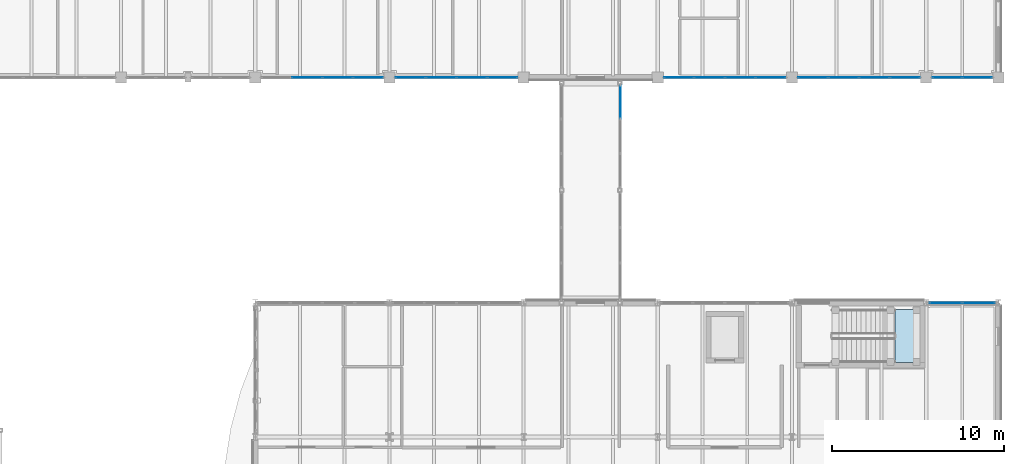
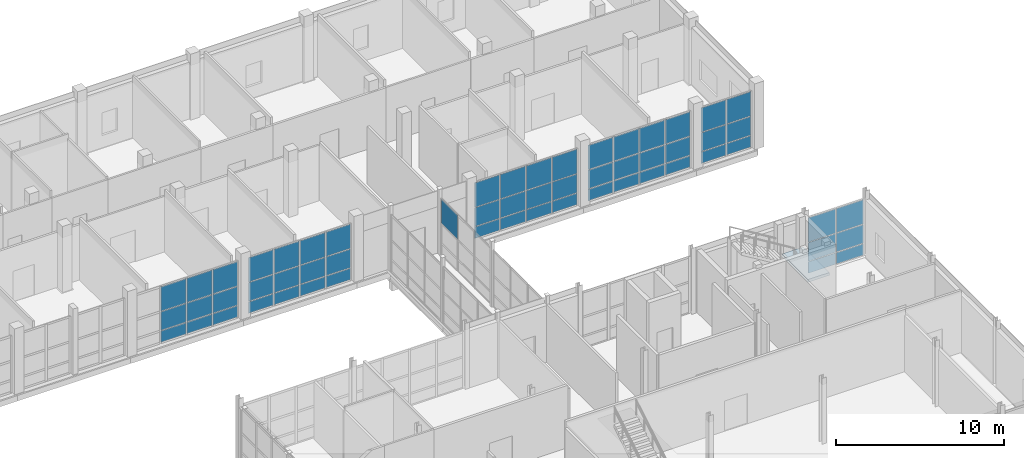
# One storey, part 83 of 131: 58 plates, 1 slab, 8 elements without a shape of their own.
"""IFC4 building model written with IfcOpenShell, lengths in metres."""

from ifc_helpers import new_model, si_unit, direction, frame, origin, origin_2d, place, context, subcontext, project, spatial, polyline, rectangle, outline, extrude, material, layer, layer_set, type_object, element, aggregate, save


model = new_model("IFC4")

# Units and contexts
model_context = context("Model", 3, precision=1e-05, world=origin(), true_north=direction((0.0, 1.0)))
body_context = subcontext(model_context, "Body", "Model", "MODEL_VIEW")
ifc_project = project(units=[si_unit("LENGTHUNIT", "METRE"), si_unit("AREAUNIT", "SQUARE_METRE"), si_unit("VOLUMEUNIT", "CUBIC_METRE"), si_unit("PLANEANGLEUNIT", "RADIAN"), si_unit("MASSUNIT", "GRAM", prefix="KILO")], contexts=[model_context])

# Site, building, storey
site_placement = place(None, origin())
site = spatial("IfcSite", under=ifc_project, at=site_placement, CompositionType="ELEMENT")
building_placement = place(site_placement, origin())
building = spatial("IfcBuilding", under=site, at=building_placement, Name="Celorna Specialist Clinic", CompositionType="ELEMENT")
storey_placement = place(building_placement, origin())
storey = spatial("IfcBuildingStorey", under=building, at=storey_placement, Name="L00", CompositionType="ELEMENT", Elevation=0.0)

# Curtain wall, plates
ifc_material_1 = material(Name="Thermally broken aluminium and solar-control glass curtain wall", Category="aluminium")
ifc_layer_1 = layer(ifc_material_1, 0.159912109375, Name="Thermally broken aluminium and solar-control glass curtain wall")
ifc_layer_set_1 = layer_set([ifc_layer_1], Name="Thermally broken aluminium and solar-control glass curtain wall")
curtain_wall_type_1 = type_object("IfcCurtainWallType", Name="CW-37", PredefinedType="NOTDEFINED", material=ifc_layer_set_1)
curtain_wall_1_placement = place(storey_placement, origin())
curtain_wall_1 = element("IfcCurtainWall", 1, at=curtain_wall_1_placement, inside=storey, type_object=curtain_wall_type_1, Name="Curtain wall CW-37 #72", PredefinedType="NOTDEFINED")
ifc_material_2 = material(Name="Low-e double glazing", Category="glass")
ifc_layer_2 = layer(ifc_material_2, 0.028076171875, Name="Low-e double glazing")
ifc_layer_set_2 = layer_set([ifc_layer_2], Name="Low-e double glazing")
plate_type_1 = type_object("IfcPlateType", Name="CPN-01", PredefinedType="CURTAIN_PANEL", material=ifc_layer_set_2)
plate_1_placement = place(storey_placement, frame((164.939453125, 83.39990234375, 0.0498046875), z_axis=(0.0, 0.0, 1.0), x_axis=(1.0, 0.0, 0.0)))
plate_1 = element("IfcPlate", 2, at=plate_1_placement, type_object=plate_type_1, Name="CW-37 panel 1.1", PredefinedType="CURTAIN_PANEL", context=body_context, shape_type="SweptSolid", body=[
    extrude(rectangle(XDim=1.87109375, YDim=0.028076171875, at=origin_2d()), origin(), (0.0, 0.0, 1.0), 0.824951171875),
])
plate_2_placement = place(storey_placement, frame((164.939453125, 83.39990234375, 0.925048828125), z_axis=(0.0, 0.0, 1.0), x_axis=(1.0, 0.0, 0.0)))
plate_2 = element("IfcPlate", 3, at=plate_2_placement, type_object=plate_type_1, Name="CW-37 panel 1.2", PredefinedType="CURTAIN_PANEL", context=body_context, shape_type="SweptSolid", body=[
    extrude(rectangle(XDim=1.87109375, YDim=0.028076171875, at=origin_2d()), origin(), (0.0, 0.0, 1.0), 1.35009765625),
])
plate_3_placement = place(storey_placement, frame((164.939453125, 83.39990234375, 2.3251953125), z_axis=(0.0, 0.0, 1.0), x_axis=(1.0, 0.0, 0.0)))
plate_3 = element("IfcPlate", 4, at=plate_3_placement, type_object=plate_type_1, Name="CW-37 panel 1.3", PredefinedType="CURTAIN_PANEL", context=body_context, shape_type="SweptSolid", body=[
    extrude(rectangle(XDim=1.87109375, YDim=0.028076171875, at=origin_2d()), origin(), (0.0, 0.0, 1.0), 1.764892578125),
])
plate_4_placement = place(storey_placement, frame((166.860595703125, 83.39990234375, 0.0498046875), z_axis=(0.0, 0.0, 1.0), x_axis=(1.0, 0.0, 0.0)))
plate_4 = element("IfcPlate", 5, at=plate_4_placement, type_object=plate_type_1, Name="CW-37 panel 2.1", PredefinedType="CURTAIN_PANEL", context=body_context, shape_type="SweptSolid", body=[
    extrude(rectangle(XDim=1.87109375, YDim=0.028076171875, at=origin_2d()), origin(), (0.0, 0.0, 1.0), 0.824951171875),
])
plate_5_placement = place(storey_placement, frame((166.860595703125, 83.39990234375, 0.925048828125), z_axis=(0.0, 0.0, 1.0), x_axis=(1.0, 0.0, 0.0)))
plate_5 = element("IfcPlate", 6, at=plate_5_placement, type_object=plate_type_1, Name="CW-37 panel 2.2", PredefinedType="CURTAIN_PANEL", context=body_context, shape_type="SweptSolid", body=[
    extrude(rectangle(XDim=1.87109375, YDim=0.028076171875, at=origin_2d()), origin(), (0.0, 0.0, 1.0), 1.35009765625),
])
plate_6_placement = place(storey_placement, frame((166.860595703125, 83.39990234375, 2.3251953125), z_axis=(0.0, 0.0, 1.0), x_axis=(1.0, 0.0, 0.0)))
plate_6 = element("IfcPlate", 7, at=plate_6_placement, type_object=plate_type_1, Name="CW-37 panel 2.3", PredefinedType="CURTAIN_PANEL", context=body_context, shape_type="SweptSolid", body=[
    extrude(rectangle(XDim=1.87109375, YDim=0.028076171875, at=origin_2d()), origin(), (0.0, 0.0, 1.0), 1.764892578125),
])
aggregate(curtain_wall_1, [plate_1, plate_2, plate_3, plate_4, plate_5, plate_6])

ifc_layer_3 = layer(ifc_material_1, 0.159912109375, Name="Thermally broken aluminium and solar-control glass curtain wall")
ifc_layer_set_3 = layer_set([ifc_layer_3], Name="Thermally broken aluminium and solar-control glass curtain wall")
curtain_wall_type_2 = type_object("IfcCurtainWallType", Name="CW-48", PredefinedType="NOTDEFINED", material=ifc_layer_set_3)
curtain_wall_2_placement = place(storey_placement, origin())
curtain_wall_2 = element("IfcCurtainWall", 8, at=curtain_wall_2_placement, inside=storey, type_object=curtain_wall_type_2, Name="Curtain wall CW-48 #100", PredefinedType="NOTDEFINED")
plate_7_placement = place(storey_placement, frame((139.165771484375, 96.5, 0.0498046875), z_axis=(0.0, 0.0, 1.0), x_axis=(-1.0, 0.0, 0.0)))
plate_7 = element("IfcPlate", 9, at=plate_7_placement, type_object=plate_type_1, Name="CW-48 panel 1.1", PredefinedType="CURTAIN_PANEL", context=body_context, shape_type="SweptSolid", body=[
    extrude(rectangle(XDim=1.71044921875, YDim=0.028076171875, at=origin_2d()), origin(), (0.0, 0.0, 1.0), 0.824951171875),
])
plate_8_placement = place(storey_placement, frame((139.165771484375, 96.5, 0.925048828125), z_axis=(0.0, 0.0, 1.0), x_axis=(-1.0, 0.0, 0.0)))
plate_8 = element("IfcPlate", 10, at=plate_8_placement, type_object=plate_type_1, Name="CW-48 panel 1.2", PredefinedType="CURTAIN_PANEL", context=body_context, shape_type="SweptSolid", body=[
    extrude(rectangle(XDim=1.71044921875, YDim=0.028076171875, at=origin_2d()), origin(), (0.0, 0.0, 1.0), 1.35009765625),
])
plate_9_placement = place(storey_placement, frame((139.165771484375, 96.5, 2.3251953125), z_axis=(0.0, 0.0, 1.0), x_axis=(-1.0, 0.0, 0.0)))
plate_9 = element("IfcPlate", 11, at=plate_9_placement, type_object=plate_type_1, Name="CW-48 panel 1.3", PredefinedType="CURTAIN_PANEL", context=body_context, shape_type="SweptSolid", body=[
    extrude(rectangle(XDim=1.71044921875, YDim=0.028076171875, at=origin_2d()), origin(), (0.0, 0.0, 1.0), 1.764892578125),
])
plate_10_placement = place(storey_placement, frame((137.392822265625, 96.5, 0.0498046875), z_axis=(0.0, 0.0, 1.0), x_axis=(-1.0, 0.0, 0.0)))
plate_10 = element("IfcPlate", 12, at=plate_10_placement, type_object=plate_type_1, Name="CW-48 panel 2.1", PredefinedType="CURTAIN_PANEL", context=body_context, shape_type="SweptSolid", body=[
    extrude(rectangle(XDim=1.735595703125, YDim=0.028076171875, at=origin_2d()), origin(), (0.0, 0.0, 1.0), 0.824951171875),
])
plate_11_placement = place(storey_placement, frame((137.392822265625, 96.5, 0.925048828125), z_axis=(0.0, 0.0, 1.0), x_axis=(-1.0, 0.0, 0.0)))
plate_11 = element("IfcPlate", 13, at=plate_11_placement, type_object=plate_type_1, Name="CW-48 panel 2.2", PredefinedType="CURTAIN_PANEL", context=body_context, shape_type="SweptSolid", body=[
    extrude(rectangle(XDim=1.735595703125, YDim=0.028076171875, at=origin_2d()), origin(), (0.0, 0.0, 1.0), 1.35009765625),
])
plate_12_placement = place(storey_placement, frame((137.392822265625, 96.5, 2.3251953125), z_axis=(0.0, 0.0, 1.0), x_axis=(-1.0, 0.0, 0.0)))
plate_12 = element("IfcPlate", 14, at=plate_12_placement, type_object=plate_type_1, Name="CW-48 panel 2.3", PredefinedType="CURTAIN_PANEL", context=body_context, shape_type="SweptSolid", body=[
    extrude(rectangle(XDim=1.735595703125, YDim=0.028076171875, at=origin_2d()), origin(), (0.0, 0.0, 1.0), 1.764892578125),
])
plate_13_placement = place(storey_placement, frame((135.607177734375, 96.5, 0.0498046875), z_axis=(0.0, 0.0, 1.0), x_axis=(-1.0, 0.0, 0.0)))
plate_13 = element("IfcPlate", 15, at=plate_13_placement, type_object=plate_type_1, Name="CW-48 panel 3.1", PredefinedType="CURTAIN_PANEL", context=body_context, shape_type="SweptSolid", body=[
    extrude(rectangle(XDim=1.735595703125, YDim=0.028076171875, at=origin_2d()), origin(), (0.0, 0.0, 1.0), 0.824951171875),
])
plate_14_placement = place(storey_placement, frame((135.607177734375, 96.5, 0.925048828125), z_axis=(0.0, 0.0, 1.0), x_axis=(-1.0, 0.0, 0.0)))
plate_14 = element("IfcPlate", 16, at=plate_14_placement, type_object=plate_type_1, Name="CW-48 panel 3.2", PredefinedType="CURTAIN_PANEL", context=body_context, shape_type="SweptSolid", body=[
    extrude(rectangle(XDim=1.735595703125, YDim=0.028076171875, at=origin_2d()), origin(), (0.0, 0.0, 1.0), 1.35009765625),
])
plate_15_placement = place(storey_placement, frame((135.607177734375, 96.5, 2.3251953125), z_axis=(0.0, 0.0, 1.0), x_axis=(-1.0, 0.0, 0.0)))
plate_15 = element("IfcPlate", 17, at=plate_15_placement, type_object=plate_type_1, Name="CW-48 panel 3.3", PredefinedType="CURTAIN_PANEL", context=body_context, shape_type="SweptSolid", body=[
    extrude(rectangle(XDim=1.735595703125, YDim=0.028076171875, at=origin_2d()), origin(), (0.0, 0.0, 1.0), 1.764892578125),
])
plate_16_placement = place(storey_placement, frame((133.834228515625, 96.5, 0.0498046875), z_axis=(0.0, 0.0, 1.0), x_axis=(-1.0, 0.0, 0.0)))
plate_16 = element("IfcPlate", 18, at=plate_16_placement, type_object=plate_type_1, Name="CW-48 panel 4.1", PredefinedType="CURTAIN_PANEL", context=body_context, shape_type="SweptSolid", body=[
    extrude(rectangle(XDim=1.71044921875, YDim=0.028076171875, at=origin_2d()), origin(), (0.0, 0.0, 1.0), 0.824951171875),
])
plate_17_placement = place(storey_placement, frame((133.834228515625, 96.5, 0.925048828125), z_axis=(0.0, 0.0, 1.0), x_axis=(-1.0, 0.0, 0.0)))
plate_17 = element("IfcPlate", 19, at=plate_17_placement, type_object=plate_type_1, Name="CW-48 panel 4.2", PredefinedType="CURTAIN_PANEL", context=body_context, shape_type="SweptSolid", body=[
    extrude(rectangle(XDim=1.71044921875, YDim=0.028076171875, at=origin_2d()), origin(), (0.0, 0.0, 1.0), 1.35009765625),
])
plate_18_placement = place(storey_placement, frame((133.834228515625, 96.5, 2.3251953125), z_axis=(0.0, 0.0, 1.0), x_axis=(-1.0, 0.0, 0.0)))
plate_18 = element("IfcPlate", 20, at=plate_18_placement, type_object=plate_type_1, Name="CW-48 panel 4.3", PredefinedType="CURTAIN_PANEL", context=body_context, shape_type="SweptSolid", body=[
    extrude(rectangle(XDim=1.71044921875, YDim=0.028076171875, at=origin_2d()), origin(), (0.0, 0.0, 1.0), 1.764892578125),
])
aggregate(curtain_wall_2, [plate_7, plate_8, plate_9, plate_10, plate_11, plate_12, plate_13, plate_14, plate_15, plate_16, plate_17, plate_18])

curtain_wall_3_placement = place(storey_placement, origin())
curtain_wall_3 = element("IfcCurtainWall", 21, at=curtain_wall_3_placement, inside=storey, type_object=curtain_wall_type_2, Name="Curtain wall CW-48 #102", PredefinedType="NOTDEFINED")
plate_19_placement = place(storey_placement, frame((162.565673828125, 96.5, 0.0498046875), z_axis=(0.0, 0.0, 1.0), x_axis=(-1.0, 0.0, 0.0)))
plate_19 = element("IfcPlate", 22, at=plate_19_placement, type_object=plate_type_1, Name="CW-48 panel 1.1", PredefinedType="CURTAIN_PANEL", context=body_context, shape_type="SweptSolid", body=[
    extrude(rectangle(XDim=1.71044921875, YDim=0.028076171875, at=origin_2d()), origin(), (0.0, 0.0, 1.0), 0.824951171875),
])
plate_20_placement = place(storey_placement, frame((162.565673828125, 96.5, 0.925048828125), z_axis=(0.0, 0.0, 1.0), x_axis=(-1.0, 0.0, 0.0)))
plate_20 = element("IfcPlate", 23, at=plate_20_placement, type_object=plate_type_1, Name="CW-48 panel 1.2", PredefinedType="CURTAIN_PANEL", context=body_context, shape_type="SweptSolid", body=[
    extrude(rectangle(XDim=1.71044921875, YDim=0.028076171875, at=origin_2d()), origin(), (0.0, 0.0, 1.0), 1.35009765625),
])
plate_21_placement = place(storey_placement, frame((162.565673828125, 96.5, 2.3251953125), z_axis=(0.0, 0.0, 1.0), x_axis=(-1.0, 0.0, 0.0)))
plate_21 = element("IfcPlate", 24, at=plate_21_placement, type_object=plate_type_1, Name="CW-48 panel 1.3", PredefinedType="CURTAIN_PANEL", context=body_context, shape_type="SweptSolid", body=[
    extrude(rectangle(XDim=1.71044921875, YDim=0.028076171875, at=origin_2d()), origin(), (0.0, 0.0, 1.0), 1.764892578125),
])
plate_22_placement = place(storey_placement, frame((160.792724609375, 96.5, 0.0498046875), z_axis=(0.0, 0.0, 1.0), x_axis=(-1.0, 0.0, 0.0)))
plate_22 = element("IfcPlate", 25, at=plate_22_placement, type_object=plate_type_1, Name="CW-48 panel 2.1", PredefinedType="CURTAIN_PANEL", context=body_context, shape_type="SweptSolid", body=[
    extrude(rectangle(XDim=1.735595703125, YDim=0.028076171875, at=origin_2d()), origin(), (0.0, 0.0, 1.0), 0.824951171875),
])
plate_23_placement = place(storey_placement, frame((160.792724609375, 96.5, 0.925048828125), z_axis=(0.0, 0.0, 1.0), x_axis=(-1.0, 0.0, 0.0)))
plate_23 = element("IfcPlate", 26, at=plate_23_placement, type_object=plate_type_1, Name="CW-48 panel 2.2", PredefinedType="CURTAIN_PANEL", context=body_context, shape_type="SweptSolid", body=[
    extrude(rectangle(XDim=1.735595703125, YDim=0.028076171875, at=origin_2d()), origin(), (0.0, 0.0, 1.0), 1.35009765625),
])
plate_24_placement = place(storey_placement, frame((160.792724609375, 96.5, 2.3251953125), z_axis=(0.0, 0.0, 1.0), x_axis=(-1.0, 0.0, 0.0)))
plate_24 = element("IfcPlate", 27, at=plate_24_placement, type_object=plate_type_1, Name="CW-48 panel 2.3", PredefinedType="CURTAIN_PANEL", context=body_context, shape_type="SweptSolid", body=[
    extrude(rectangle(XDim=1.735595703125, YDim=0.028076171875, at=origin_2d()), origin(), (0.0, 0.0, 1.0), 1.764892578125),
])
plate_25_placement = place(storey_placement, frame((159.00732421875, 96.5, 0.0498046875), z_axis=(0.0, 0.0, 1.0), x_axis=(-1.0, 0.0, 0.0)))
plate_25 = element("IfcPlate", 28, at=plate_25_placement, type_object=plate_type_1, Name="CW-48 panel 3.1", PredefinedType="CURTAIN_PANEL", context=body_context, shape_type="SweptSolid", body=[
    extrude(rectangle(XDim=1.735595703125, YDim=0.028076171875, at=origin_2d()), origin(), (0.0, 0.0, 1.0), 0.824951171875),
])
plate_26_placement = place(storey_placement, frame((159.00732421875, 96.5, 0.925048828125), z_axis=(0.0, 0.0, 1.0), x_axis=(-1.0, 0.0, 0.0)))
plate_26 = element("IfcPlate", 29, at=plate_26_placement, type_object=plate_type_1, Name="CW-48 panel 3.2", PredefinedType="CURTAIN_PANEL", context=body_context, shape_type="SweptSolid", body=[
    extrude(rectangle(XDim=1.735595703125, YDim=0.028076171875, at=origin_2d()), origin(), (0.0, 0.0, 1.0), 1.35009765625),
])
plate_27_placement = place(storey_placement, frame((159.00732421875, 96.5, 2.3251953125), z_axis=(0.0, 0.0, 1.0), x_axis=(-1.0, 0.0, 0.0)))
plate_27 = element("IfcPlate", 30, at=plate_27_placement, type_object=plate_type_1, Name="CW-48 panel 3.3", PredefinedType="CURTAIN_PANEL", context=body_context, shape_type="SweptSolid", body=[
    extrude(rectangle(XDim=1.735595703125, YDim=0.028076171875, at=origin_2d()), origin(), (0.0, 0.0, 1.0), 1.764892578125),
])
plate_28_placement = place(storey_placement, frame((157.234130859375, 96.5, 0.0498046875), z_axis=(0.0, 0.0, 1.0), x_axis=(-1.0, 0.0, 0.0)))
plate_28 = element("IfcPlate", 31, at=plate_28_placement, type_object=plate_type_1, Name="CW-48 panel 4.1", PredefinedType="CURTAIN_PANEL", context=body_context, shape_type="SweptSolid", body=[
    extrude(rectangle(XDim=1.71044921875, YDim=0.028076171875, at=origin_2d()), origin(), (0.0, 0.0, 1.0), 0.824951171875),
])
plate_29_placement = place(storey_placement, frame((157.234130859375, 96.5, 0.925048828125), z_axis=(0.0, 0.0, 1.0), x_axis=(-1.0, 0.0, 0.0)))
plate_29 = element("IfcPlate", 32, at=plate_29_placement, type_object=plate_type_1, Name="CW-48 panel 4.2", PredefinedType="CURTAIN_PANEL", context=body_context, shape_type="SweptSolid", body=[
    extrude(rectangle(XDim=1.71044921875, YDim=0.028076171875, at=origin_2d()), origin(), (0.0, 0.0, 1.0), 1.35009765625),
])
plate_30_placement = place(storey_placement, frame((157.234130859375, 96.5, 2.3251953125), z_axis=(0.0, 0.0, 1.0), x_axis=(-1.0, 0.0, 0.0)))
plate_30 = element("IfcPlate", 33, at=plate_30_placement, type_object=plate_type_1, Name="CW-48 panel 4.3", PredefinedType="CURTAIN_PANEL", context=body_context, shape_type="SweptSolid", body=[
    extrude(rectangle(XDim=1.71044921875, YDim=0.028076171875, at=origin_2d()), origin(), (0.0, 0.0, 1.0), 1.764892578125),
])
aggregate(curtain_wall_3, [plate_19, plate_20, plate_21, plate_22, plate_23, plate_24, plate_25, plate_26, plate_27, plate_28, plate_29, plate_30])

# Curtain wall, plate
ifc_layer_4 = layer(ifc_material_1, 0.159912109375, Name="Thermally broken aluminium and solar-control glass curtain wall")
ifc_layer_set_4 = layer_set([ifc_layer_4], Name="Thermally broken aluminium and solar-control glass curtain wall")
curtain_wall_type_3 = type_object("IfcCurtainWallType", Name="CW-117", PredefinedType="NOTDEFINED", material=ifc_layer_set_4)
curtain_wall_4_placement = place(storey_placement, origin())
curtain_wall_4 = element("IfcCurtainWall", 34, at=curtain_wall_4_placement, inside=storey, type_object=curtain_wall_type_3, Name="Curtain wall CW-117 #218", PredefinedType="NOTDEFINED")
plate_31_placement = place(storey_placement, frame((146.02001953125, 95.06591796875, 2.324951171875), z_axis=(0.0, 0.0, 1.0), x_axis=(0.0, -1.0, 0.0)))
plate_31 = element("IfcPlate", 35, at=plate_31_placement, type_object=plate_type_1, Name="CW-117 panel 1.3", PredefinedType="CURTAIN_PANEL", context=body_context, shape_type="SweptSolid", body=[
    extrude(rectangle(XDim=1.92822265625, YDim=0.028076171875, at=origin_2d()), origin(), (0.0, 0.0, 1.0), 1.7548828125),
])
aggregate(curtain_wall_4, [plate_31])

# Curtain wall, plates
ifc_layer_5 = layer(ifc_material_1, 0.159912109375, Name="Thermally broken aluminium and solar-control glass curtain wall")
ifc_layer_set_5 = layer_set([ifc_layer_5], Name="Thermally broken aluminium and solar-control glass curtain wall")
curtain_wall_type_4 = type_object("IfcCurtainWallType", Name="CW-50", PredefinedType="NOTDEFINED", material=ifc_layer_set_5)
curtain_wall_5_placement = place(storey_placement, origin())
curtain_wall_5 = element("IfcCurtainWall", 36, at=curtain_wall_5_placement, inside=storey, type_object=curtain_wall_type_4, Name="Curtain wall CW-50 #103", PredefinedType="NOTDEFINED")
ifc_material_3 = material(Name="Solar-control triple glazing", Category="glass")
ifc_layer_6 = layer(ifc_material_3, 0.035888671875, Name="Solar-control triple glazing")
ifc_layer_set_6 = layer_set([ifc_layer_6], Name="Solar-control triple glazing")
plate_type_2 = type_object("IfcPlateType", Name="CPN-02", PredefinedType="CURTAIN_PANEL", material=ifc_layer_set_6)
plate_32_placement = place(storey_placement, frame((166.77294921875, 96.5, 0.0498046875), z_axis=(0.0, 0.0, 1.0), x_axis=(-1.0, 0.0, 0.0)))
plate_32 = element("IfcPlate", 37, at=plate_32_placement, type_object=plate_type_2, Name="CW-50 panel 1.1", PredefinedType="CURTAIN_PANEL", context=body_context, shape_type="SweptSolid", body=[
    extrude(rectangle(XDim=1.696044921875, YDim=0.035888671875, at=origin_2d()), origin(), (0.0, 0.0, 1.0), 0.824951171875),
])
plate_33_placement = place(storey_placement, frame((166.77294921875, 96.5, 0.925048828125), z_axis=(0.0, 0.0, 1.0), x_axis=(-1.0, 0.0, 0.0)))
plate_33 = element("IfcPlate", 38, at=plate_33_placement, type_object=plate_type_2, Name="CW-50 panel 1.2", PredefinedType="CURTAIN_PANEL", context=body_context, shape_type="SweptSolid", body=[
    extrude(rectangle(XDim=1.696044921875, YDim=0.035888671875, at=origin_2d()), origin(), (0.0, 0.0, 1.0), 1.35009765625),
])
plate_34_placement = place(storey_placement, frame((166.77294921875, 96.5, 2.3251953125), z_axis=(0.0, 0.0, 1.0), x_axis=(-1.0, 0.0, 0.0)))
plate_34 = element("IfcPlate", 39, at=plate_34_placement, type_object=plate_type_2, Name="CW-50 panel 1.3", PredefinedType="CURTAIN_PANEL", context=body_context, shape_type="SweptSolid", body=[
    extrude(rectangle(XDim=1.696044921875, YDim=0.035888671875, at=origin_2d()), origin(), (0.0, 0.0, 1.0), 1.764892578125),
])
plate_35_placement = place(storey_placement, frame((165.027099609375, 96.5, 0.0498046875), z_axis=(0.0, 0.0, 1.0), x_axis=(-1.0, 0.0, 0.0)))
plate_35 = element("IfcPlate", 40, at=plate_35_placement, type_object=plate_type_2, Name="CW-50 panel 2.1", PredefinedType="CURTAIN_PANEL", context=body_context, shape_type="SweptSolid", body=[
    extrude(rectangle(XDim=1.696044921875, YDim=0.035888671875, at=origin_2d()), origin(), (0.0, 0.0, 1.0), 0.824951171875),
])
plate_36_placement = place(storey_placement, frame((165.027099609375, 96.5, 0.925048828125), z_axis=(0.0, 0.0, 1.0), x_axis=(-1.0, 0.0, 0.0)))
plate_36 = element("IfcPlate", 41, at=plate_36_placement, type_object=plate_type_2, Name="CW-50 panel 2.2", PredefinedType="CURTAIN_PANEL", context=body_context, shape_type="SweptSolid", body=[
    extrude(rectangle(XDim=1.696044921875, YDim=0.035888671875, at=origin_2d()), origin(), (0.0, 0.0, 1.0), 1.35009765625),
])
plate_37_placement = place(storey_placement, frame((165.027099609375, 96.5, 2.3251953125), z_axis=(0.0, 0.0, 1.0), x_axis=(-1.0, 0.0, 0.0)))
plate_37 = element("IfcPlate", 42, at=plate_37_placement, type_object=plate_type_2, Name="CW-50 panel 2.3", PredefinedType="CURTAIN_PANEL", context=body_context, shape_type="SweptSolid", body=[
    extrude(rectangle(XDim=1.696044921875, YDim=0.035888671875, at=origin_2d()), origin(), (0.0, 0.0, 1.0), 1.764892578125),
])
aggregate(curtain_wall_5, [plate_32, plate_33, plate_34, plate_35, plate_36, plate_37])

ifc_layer_7 = layer(ifc_material_1, 0.159912109375, Name="Thermally broken aluminium and solar-control glass curtain wall")
ifc_layer_set_7 = layer_set([ifc_layer_7], Name="Thermally broken aluminium and solar-control glass curtain wall")
curtain_wall_type_5 = type_object("IfcCurtainWallType", Name="CW-47", PredefinedType="NOTDEFINED", material=ifc_layer_set_7)
curtain_wall_6_placement = place(storey_placement, origin())
curtain_wall_6 = element("IfcCurtainWall", 43, at=curtain_wall_6_placement, inside=storey, type_object=curtain_wall_type_5, Name="Curtain wall CW-47 #99", PredefinedType="NOTDEFINED")
ifc_material_4 = material(Name="Glazed polychrome ceramic insulated spandrel")
ifc_layer_8 = layer(ifc_material_4, 0.0439453125, Name="Glazed polychrome ceramic insulated spandrel")
ifc_layer_set_8 = layer_set([ifc_layer_8], Name="Glazed polychrome ceramic insulated spandrel")
plate_type_3 = type_object("IfcPlateType", Name="CPN-03", PredefinedType="CURTAIN_PANEL", material=ifc_layer_set_8)
plate_38_placement = place(storey_placement, frame((131.36572265625, 96.5, 0.0498046875), z_axis=(0.0, 0.0, 1.0), x_axis=(-1.0, 0.0, 0.0)))
plate_38 = element("IfcPlate", 44, at=plate_38_placement, type_object=plate_type_3, Name="CW-47 panel 1.1", PredefinedType="CURTAIN_PANEL", context=body_context, shape_type="SweptSolid", body=[
    extrude(rectangle(XDim=1.71044921875, YDim=0.0439453125, at=origin_2d()), origin(), (0.0, 0.0, 1.0), 0.824951171875),
])
plate_39_placement = place(storey_placement, frame((131.36572265625, 96.5, 0.925048828125), z_axis=(0.0, 0.0, 1.0), x_axis=(-1.0, 0.0, 0.0)))
plate_39 = element("IfcPlate", 45, at=plate_39_placement, type_object=plate_type_3, Name="CW-47 panel 1.2", PredefinedType="CURTAIN_PANEL", context=body_context, shape_type="SweptSolid", body=[
    extrude(rectangle(XDim=1.71044921875, YDim=0.0439453125, at=origin_2d()), origin(), (0.0, 0.0, 1.0), 1.35009765625),
])
plate_40_placement = place(storey_placement, frame((131.36572265625, 96.5, 2.3251953125), z_axis=(0.0, 0.0, 1.0), x_axis=(-1.0, 0.0, 0.0)))
plate_40 = element("IfcPlate", 46, at=plate_40_placement, type_object=plate_type_3, Name="CW-47 panel 1.3", PredefinedType="CURTAIN_PANEL", context=body_context, shape_type="SweptSolid", body=[
    extrude(rectangle(XDim=1.71044921875, YDim=0.0439453125, at=origin_2d()), origin(), (0.0, 0.0, 1.0), 1.764892578125),
])
plate_41_placement = place(storey_placement, frame((129.5927734375, 96.5, 0.0498046875), z_axis=(0.0, 0.0, 1.0), x_axis=(-1.0, 0.0, 0.0)))
plate_41 = element("IfcPlate", 47, at=plate_41_placement, type_object=plate_type_3, Name="CW-47 panel 2.1", PredefinedType="CURTAIN_PANEL", context=body_context, shape_type="SweptSolid", body=[
    extrude(rectangle(XDim=1.735595703125, YDim=0.0439453125, at=origin_2d()), origin(), (0.0, 0.0, 1.0), 0.824951171875),
])
plate_42_placement = place(storey_placement, frame((129.5927734375, 96.5, 0.925048828125), z_axis=(0.0, 0.0, 1.0), x_axis=(-1.0, 0.0, 0.0)))
plate_42 = element("IfcPlate", 48, at=plate_42_placement, type_object=plate_type_3, Name="CW-47 panel 2.2", PredefinedType="CURTAIN_PANEL", context=body_context, shape_type="SweptSolid", body=[
    extrude(rectangle(XDim=1.735595703125, YDim=0.0439453125, at=origin_2d()), origin(), (0.0, 0.0, 1.0), 1.35009765625),
])
plate_43_placement = place(storey_placement, frame((129.5927734375, 96.5, 2.3251953125), z_axis=(0.0, 0.0, 1.0), x_axis=(-1.0, 0.0, 0.0)))
plate_43 = element("IfcPlate", 49, at=plate_43_placement, type_object=plate_type_3, Name="CW-47 panel 2.3", PredefinedType="CURTAIN_PANEL", context=body_context, shape_type="SweptSolid", body=[
    extrude(rectangle(XDim=1.735595703125, YDim=0.0439453125, at=origin_2d()), origin(), (0.0, 0.0, 1.0), 1.764892578125),
])
plate_44_placement = place(storey_placement, frame((127.80712890625, 96.5, 0.0498046875), z_axis=(0.0, 0.0, 1.0), x_axis=(-1.0, 0.0, 0.0)))
plate_44 = element("IfcPlate", 50, at=plate_44_placement, type_object=plate_type_3, Name="CW-47 panel 3.1", PredefinedType="CURTAIN_PANEL", context=body_context, shape_type="SweptSolid", body=[
    extrude(rectangle(XDim=1.735595703125, YDim=0.0439453125, at=origin_2d()), origin(), (0.0, 0.0, 1.0), 0.824951171875),
])
plate_45_placement = place(storey_placement, frame((127.80712890625, 96.5, 0.925048828125), z_axis=(0.0, 0.0, 1.0), x_axis=(-1.0, 0.0, 0.0)))
plate_45 = element("IfcPlate", 51, at=plate_45_placement, type_object=plate_type_3, Name="CW-47 panel 3.2", PredefinedType="CURTAIN_PANEL", context=body_context, shape_type="SweptSolid", body=[
    extrude(rectangle(XDim=1.735595703125, YDim=0.0439453125, at=origin_2d()), origin(), (0.0, 0.0, 1.0), 1.35009765625),
])
plate_46_placement = place(storey_placement, frame((127.80712890625, 96.5, 2.3251953125), z_axis=(0.0, 0.0, 1.0), x_axis=(-1.0, 0.0, 0.0)))
plate_46 = element("IfcPlate", 52, at=plate_46_placement, type_object=plate_type_3, Name="CW-47 panel 3.3", PredefinedType="CURTAIN_PANEL", context=body_context, shape_type="SweptSolid", body=[
    extrude(rectangle(XDim=1.735595703125, YDim=0.0439453125, at=origin_2d()), origin(), (0.0, 0.0, 1.0), 1.764892578125),
])
aggregate(curtain_wall_6, [plate_38, plate_39, plate_40, plate_41, plate_42, plate_43, plate_44, plate_45, plate_46])

curtain_wall_7_placement = place(storey_placement, origin())
curtain_wall_7 = element("IfcCurtainWall", 53, at=curtain_wall_7_placement, inside=storey, type_object=curtain_wall_type_5, Name="Curtain wall CW-47 #101", PredefinedType="NOTDEFINED")
plate_47_placement = place(storey_placement, frame((154.765869140625, 96.5, 0.0498046875), z_axis=(0.0, 0.0, 1.0), x_axis=(-1.0, 0.0, 0.0)))
plate_47 = element("IfcPlate", 54, at=plate_47_placement, type_object=plate_type_3, Name="CW-47 panel 1.1", PredefinedType="CURTAIN_PANEL", context=body_context, shape_type="SweptSolid", body=[
    extrude(rectangle(XDim=1.71044921875, YDim=0.0439453125, at=origin_2d()), origin(), (0.0, 0.0, 1.0), 0.824951171875),
])
plate_48_placement = place(storey_placement, frame((154.765869140625, 96.5, 0.925048828125), z_axis=(0.0, 0.0, 1.0), x_axis=(-1.0, 0.0, 0.0)))
plate_48 = element("IfcPlate", 55, at=plate_48_placement, type_object=plate_type_3, Name="CW-47 panel 1.2", PredefinedType="CURTAIN_PANEL", context=body_context, shape_type="SweptSolid", body=[
    extrude(rectangle(XDim=1.71044921875, YDim=0.0439453125, at=origin_2d()), origin(), (0.0, 0.0, 1.0), 1.35009765625),
])
plate_49_placement = place(storey_placement, frame((154.765869140625, 96.5, 2.3251953125), z_axis=(0.0, 0.0, 1.0), x_axis=(-1.0, 0.0, 0.0)))
plate_49 = element("IfcPlate", 56, at=plate_49_placement, type_object=plate_type_3, Name="CW-47 panel 1.3", PredefinedType="CURTAIN_PANEL", context=body_context, shape_type="SweptSolid", body=[
    extrude(rectangle(XDim=1.71044921875, YDim=0.0439453125, at=origin_2d()), origin(), (0.0, 0.0, 1.0), 1.764892578125),
])
plate_50_placement = place(storey_placement, frame((152.99267578125, 96.5, 0.0498046875), z_axis=(0.0, 0.0, 1.0), x_axis=(-1.0, 0.0, 0.0)))
plate_50 = element("IfcPlate", 57, at=plate_50_placement, type_object=plate_type_3, Name="CW-47 panel 2.1", PredefinedType="CURTAIN_PANEL", context=body_context, shape_type="SweptSolid", body=[
    extrude(rectangle(XDim=1.735595703125, YDim=0.0439453125, at=origin_2d()), origin(), (0.0, 0.0, 1.0), 0.824951171875),
])
plate_51_placement = place(storey_placement, frame((152.99267578125, 96.5, 0.925048828125), z_axis=(0.0, 0.0, 1.0), x_axis=(-1.0, 0.0, 0.0)))
plate_51 = element("IfcPlate", 58, at=plate_51_placement, type_object=plate_type_3, Name="CW-47 panel 2.2", PredefinedType="CURTAIN_PANEL", context=body_context, shape_type="SweptSolid", body=[
    extrude(rectangle(XDim=1.735595703125, YDim=0.0439453125, at=origin_2d()), origin(), (0.0, 0.0, 1.0), 1.35009765625),
])
plate_52_placement = place(storey_placement, frame((152.99267578125, 96.5, 2.3251953125), z_axis=(0.0, 0.0, 1.0), x_axis=(-1.0, 0.0, 0.0)))
plate_52 = element("IfcPlate", 59, at=plate_52_placement, type_object=plate_type_3, Name="CW-47 panel 2.3", PredefinedType="CURTAIN_PANEL", context=body_context, shape_type="SweptSolid", body=[
    extrude(rectangle(XDim=1.735595703125, YDim=0.0439453125, at=origin_2d()), origin(), (0.0, 0.0, 1.0), 1.764892578125),
])
plate_53_placement = place(storey_placement, frame((151.207275390625, 96.5, 0.0498046875), z_axis=(0.0, 0.0, 1.0), x_axis=(-1.0, 0.0, 0.0)))
plate_53 = element("IfcPlate", 60, at=plate_53_placement, type_object=plate_type_3, Name="CW-47 panel 3.1", PredefinedType="CURTAIN_PANEL", context=body_context, shape_type="SweptSolid", body=[
    extrude(rectangle(XDim=1.735595703125, YDim=0.0439453125, at=origin_2d()), origin(), (0.0, 0.0, 1.0), 0.824951171875),
])
plate_54_placement = place(storey_placement, frame((151.207275390625, 96.5, 0.925048828125), z_axis=(0.0, 0.0, 1.0), x_axis=(-1.0, 0.0, 0.0)))
plate_54 = element("IfcPlate", 61, at=plate_54_placement, type_object=plate_type_3, Name="CW-47 panel 3.2", PredefinedType="CURTAIN_PANEL", context=body_context, shape_type="SweptSolid", body=[
    extrude(rectangle(XDim=1.735595703125, YDim=0.0439453125, at=origin_2d()), origin(), (0.0, 0.0, 1.0), 1.35009765625),
])
plate_55_placement = place(storey_placement, frame((151.207275390625, 96.5, 2.3251953125), z_axis=(0.0, 0.0, 1.0), x_axis=(-1.0, 0.0, 0.0)))
plate_55 = element("IfcPlate", 62, at=plate_55_placement, type_object=plate_type_3, Name="CW-47 panel 3.3", PredefinedType="CURTAIN_PANEL", context=body_context, shape_type="SweptSolid", body=[
    extrude(rectangle(XDim=1.735595703125, YDim=0.0439453125, at=origin_2d()), origin(), (0.0, 0.0, 1.0), 1.764892578125),
])
plate_56_placement = place(storey_placement, frame((149.434326171875, 96.5, 0.0498046875), z_axis=(0.0, 0.0, 1.0), x_axis=(-1.0, 0.0, 0.0)))
plate_56 = element("IfcPlate", 63, at=plate_56_placement, type_object=plate_type_3, Name="CW-47 panel 4.1", PredefinedType="CURTAIN_PANEL", context=body_context, shape_type="SweptSolid", body=[
    extrude(rectangle(XDim=1.71044921875, YDim=0.0439453125, at=origin_2d()), origin(), (0.0, 0.0, 1.0), 0.824951171875),
])
plate_57_placement = place(storey_placement, frame((149.434326171875, 96.5, 0.925048828125), z_axis=(0.0, 0.0, 1.0), x_axis=(-1.0, 0.0, 0.0)))
plate_57 = element("IfcPlate", 64, at=plate_57_placement, type_object=plate_type_3, Name="CW-47 panel 4.2", PredefinedType="CURTAIN_PANEL", context=body_context, shape_type="SweptSolid", body=[
    extrude(rectangle(XDim=1.71044921875, YDim=0.0439453125, at=origin_2d()), origin(), (0.0, 0.0, 1.0), 1.35009765625),
])
plate_58_placement = place(storey_placement, frame((149.434326171875, 96.5, 2.3251953125), z_axis=(0.0, 0.0, 1.0), x_axis=(-1.0, 0.0, 0.0)))
plate_58 = element("IfcPlate", 65, at=plate_58_placement, type_object=plate_type_3, Name="CW-47 panel 4.3", PredefinedType="CURTAIN_PANEL", context=body_context, shape_type="SweptSolid", body=[
    extrude(rectangle(XDim=1.71044921875, YDim=0.0439453125, at=origin_2d()), origin(), (0.0, 0.0, 1.0), 1.764892578125),
])
aggregate(curtain_wall_7, [plate_47, plate_48, plate_49, plate_50, plate_51, plate_52, plate_53, plate_54, plate_55, plate_56, plate_57, plate_58])

# Stair, slab
ifc_material_5 = material(Name="Concrete C35/45", Category="concrete")
stair_type = type_object("IfcStairType", Name="ST-02", PredefinedType="HALF_TURN_STAIR", material=ifc_material_5)
stair_placement = place(storey_placement, origin())
stair = element("IfcStair", 66, at=stair_placement, inside=storey, type_object=stair_type, Name="L00 Protected exit stair ST-12", PredefinedType="HALF_TURN_STAIR")
ifc_layer_9 = layer(ifc_material_5, 0.199951171875, Name="Concrete C35/45")
ifc_layer_set_9 = layer_set([ifc_layer_9], Name="Concrete C35/45")
slab_type = type_object("IfcSlabType", Name="SL-11", PredefinedType="LANDING", material=ifc_layer_set_9)
slab_placement = place(storey_placement, frame((0.0, 0.0, 2.199951171875)))
slab = element("IfcSlab", 67, at=slab_placement, type_object=slab_type, Name="ST-12 landing 1", PredefinedType="LANDING", context=body_context, shape_type="SweptSolid", body=[
    extrude(outline(polyline([(161.97998046875, 79.919921875), (163.43994140625, 79.919921875), (163.43994140625, 83.02001953125), (161.97998046875, 83.02001953125), (161.97998046875, 79.919921875)])), origin(), (0.0, 0.0, 1.0), 0.199951171875),
])
aggregate(stair, [slab])

save(model, "model.ifc")
